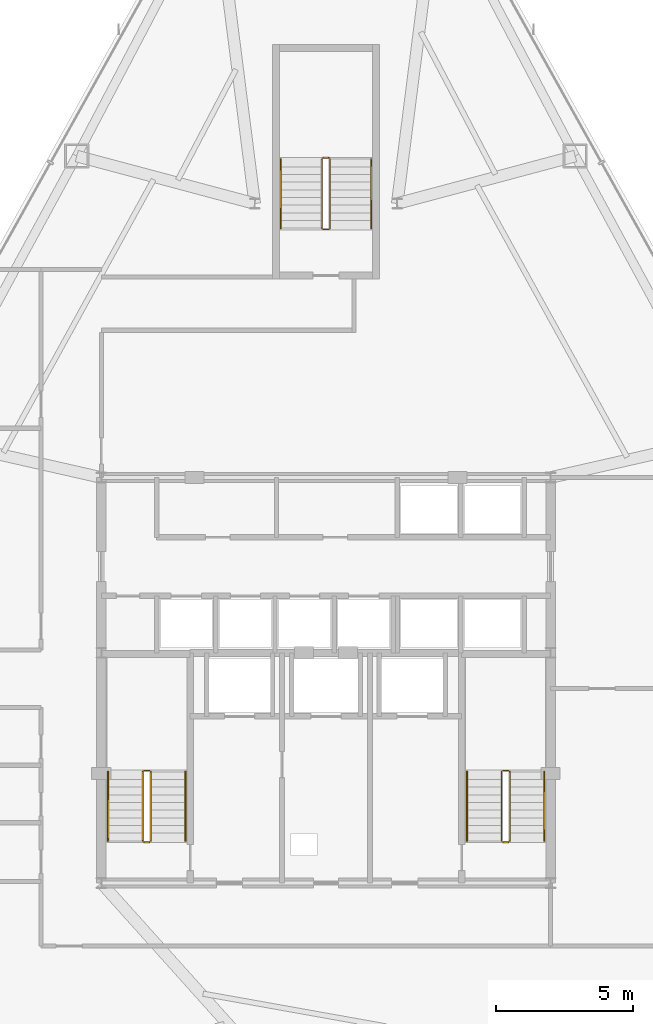
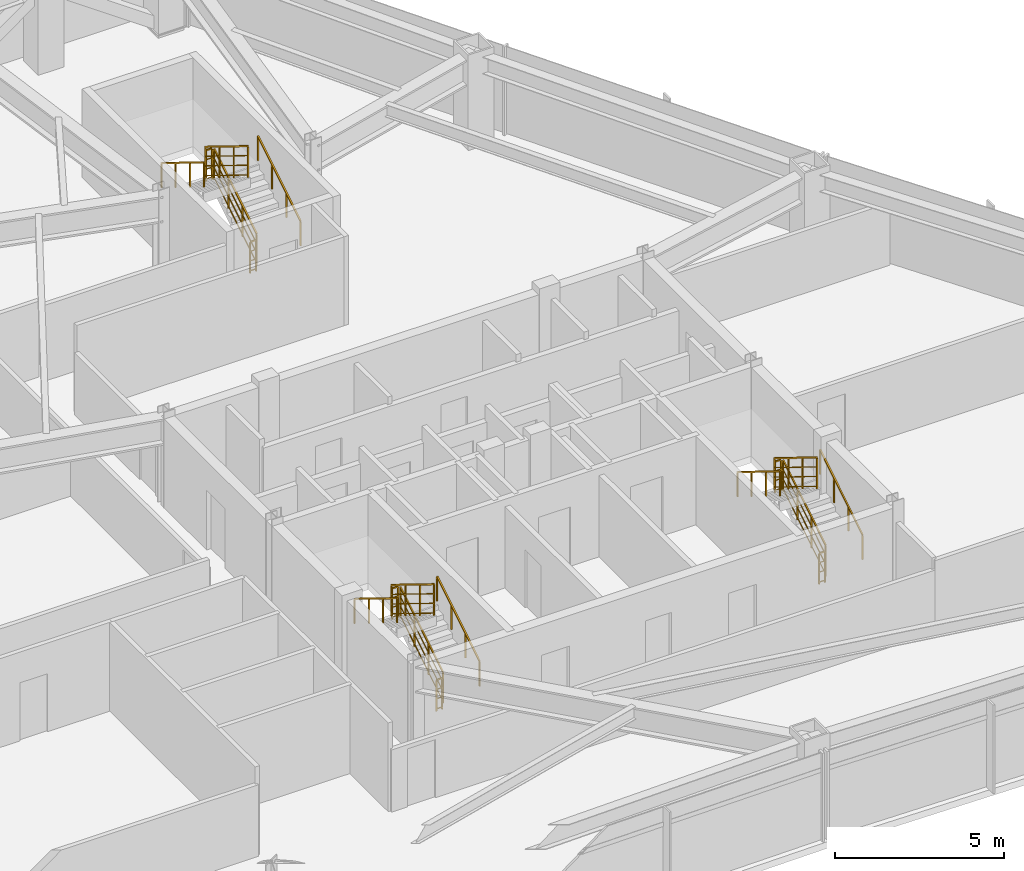
# One storey, part 11 of 11: 18 railings.
"""IFC4 building model written with IfcOpenShell, lengths in metres."""

from ifc_helpers import new_model, si_unit, direction, frame, origin, origin_2d, place, context, subcontext, project, spatial, rectangle, extrude, material, type_object, element, save


model = new_model("IFC4")

# Units and contexts
model_context = context("Model", 3, precision=1e-05, world=origin(), true_north=direction((0.0, 1.0)))
body_context = subcontext(model_context, "Body", "Model", "MODEL_VIEW")
ifc_project = project(units=[si_unit("LENGTHUNIT", "METRE"), si_unit("AREAUNIT", "SQUARE_METRE"), si_unit("VOLUMEUNIT", "CUBIC_METRE"), si_unit("PLANEANGLEUNIT", "RADIAN"), si_unit("MASSUNIT", "GRAM", prefix="KILO")], contexts=[model_context])

# Site, building, storey
site_placement = place(None, origin())
site = spatial("IfcSite", under=ifc_project, at=site_placement, CompositionType="ELEMENT")
building_placement = place(site_placement, origin())
building = spatial("IfcBuilding", under=site, at=building_placement, Name="Varakhsha Concourse Tower", CompositionType="ELEMENT")
storey_placement = place(building_placement, frame((0.0, 0.0, 140.14990234375)))
storey = spatial("IfcBuildingStorey", under=building, at=storey_placement, Name="L40", CompositionType="ELEMENT", Elevation=140.14990234375)

# Railings
ifc_material = material(Name="Brushed Austenitic Stainless Steel AISI 316", Category="steel")
railing_type_1 = type_object("IfcRailingType", Name="RL-STAIR-GUARD-1100", PredefinedType="GUARDRAIL", material=ifc_material)
railing_1_placement = place(storey_placement, frame((33.610107421875, 17.93994140625, 0.172607421875)))
element("IfcRailing", 1, at=railing_1_placement, inside=storey, type_object=railing_type_1, Name="L40 ST1 stair guard 1", PredefinedType="GUARDRAIL", context=body_context, shape_type="SweptSolid", body=[
    extrude(rectangle(XDim=0.048095703125, YDim=0.048095703125, at=origin_2d()), frame((0.0, 0.0, 1.1259765625), z_axis=(0.0, 0.851400495292, 0.524516154772), x_axis=(-1.0, 0.0, 0.0)), (0.0, 0.0, 1.0), 2.9599609375),
    extrude(rectangle(XDim=0.028076171875, YDim=0.028076171875, at=origin_2d()), frame((0.0, 0.0, 0.080078125), z_axis=(0.0, 0.851400495292, 0.524516154772), x_axis=(-1.0, 0.0, 0.0)), (0.0, 0.0, 1.0), 2.9599609375),
    extrude(rectangle(XDim=0.028076171875, YDim=0.028076171875, at=origin_2d()), frame((0.0, 0.0, 0.43701171875), z_axis=(0.0, 0.851400495292, 0.524516154772), x_axis=(-1.0, 0.0, 0.0)), (0.0, 0.0, 1.0), 2.9599609375),
    extrude(rectangle(XDim=0.028076171875, YDim=0.028076171875, at=origin_2d()), frame((0.0, 0.0, 0.781982421875), z_axis=(0.0, 0.851400495292, 0.524516154772), x_axis=(-1.0, 0.0, 0.0)), (0.0, 0.0, 1.0), 2.9599609375),
    extrude(rectangle(XDim=0.0419921875, YDim=0.0419921875, at=origin_2d()), origin(), (0.0, 0.0, 1.0), 1.101806640625),
    extrude(rectangle(XDim=0.0419921875, YDim=0.0419921875, at=origin_2d()), frame((0.0, 0.840087890625, 0.517578125)), (0.0, 0.0, 1.0), 1.101806640625),
    extrude(rectangle(XDim=0.0419921875, YDim=0.0419921875, at=origin_2d()), frame((0.0, 1.679931640625, 1.034912109375)), (0.0, 0.0, 1.0), 1.101806640625),
    extrude(rectangle(XDim=0.0419921875, YDim=0.0419921875, at=origin_2d()), frame((0.0, 2.52001953125, 1.552490234375)), (0.0, 0.0, 1.0), 1.101806640625),
])
railing_2_placement = place(storey_placement, frame((33.56005859375, 20.510009765625, 1.72509765625)))
element("IfcRailing", 2, at=railing_2_placement, inside=storey, type_object=railing_type_1, Name="L40 ST1 stair guard 2", PredefinedType="GUARDRAIL", context=body_context, shape_type="SweptSolid", body=[
    extrude(rectangle(XDim=0.048095703125, YDim=0.048095703125, at=origin_2d()), frame((0.0, 0.0, 1.1259765625), z_axis=(-1.0, 0.0, 0.0), x_axis=(0.0, -1.0, 0.0)), (0.0, 0.0, 1.0), 0.199951171875),
    extrude(rectangle(XDim=0.028076171875, YDim=0.028076171875, at=origin_2d()), frame((0.0, 0.0, 0.080078125), z_axis=(-1.0, 0.0, 0.0), x_axis=(0.0, -1.0, 0.0)), (0.0, 0.0, 1.0), 0.199951171875),
    extrude(rectangle(XDim=0.028076171875, YDim=0.028076171875, at=origin_2d()), frame((0.0, 0.0, 0.43701171875), z_axis=(-1.0, 0.0, 0.0), x_axis=(0.0, -1.0, 0.0)), (0.0, 0.0, 1.0), 0.199951171875),
    extrude(rectangle(XDim=0.028076171875, YDim=0.028076171875, at=origin_2d()), frame((0.0, 0.0, 0.781982421875), z_axis=(-1.0, 0.0, 0.0), x_axis=(0.0, -1.0, 0.0)), (0.0, 0.0, 1.0), 0.199951171875),
    extrude(rectangle(XDim=0.0419921875, YDim=0.0419921875, at=origin_2d()), origin(), (0.0, 0.0, 1.0), 1.101806640625),
    extrude(rectangle(XDim=0.0419921875, YDim=0.0419921875, at=origin_2d()), frame((-0.199951171875, 0.0, 0.0)), (0.0, 0.0, 1.0), 1.101806640625),
])
railing_3_placement = place(storey_placement, frame((33.31005859375, 20.4599609375, 1.897705078125)))
element("IfcRailing", 3, at=railing_3_placement, inside=storey, type_object=railing_type_1, Name="L40 ST1 stair guard 3", PredefinedType="GUARDRAIL", context=body_context, shape_type="SweptSolid", body=[
    extrude(rectangle(XDim=0.048095703125, YDim=0.048095703125, at=origin_2d()), frame((0.0, 0.0, 1.1259765625), z_axis=(0.0, -0.851400495292, 0.524516154772), x_axis=(1.0, 0.0, 0.0)), (0.0, 0.0, 1.0), 2.9599609375),
    extrude(rectangle(XDim=0.028076171875, YDim=0.028076171875, at=origin_2d()), frame((0.0, 0.0, 0.080078125), z_axis=(0.0, -0.851400495292, 0.524516154772), x_axis=(1.0, 0.0, 0.0)), (0.0, 0.0, 1.0), 2.9599609375),
    extrude(rectangle(XDim=0.028076171875, YDim=0.028076171875, at=origin_2d()), frame((0.0, 0.0, 0.43701171875), z_axis=(0.0, -0.851400495292, 0.524516154772), x_axis=(1.0, 0.0, 0.0)), (0.0, 0.0, 1.0), 2.9599609375),
    extrude(rectangle(XDim=0.028076171875, YDim=0.028076171875, at=origin_2d()), frame((0.0, 0.0, 0.781982421875), z_axis=(0.0, -0.851400495292, 0.524516154772), x_axis=(1.0, 0.0, 0.0)), (0.0, 0.0, 1.0), 2.9599609375),
    extrude(rectangle(XDim=0.0419921875, YDim=0.0419921875, at=origin_2d()), origin(), (0.0, 0.0, 1.0), 1.101806640625),
    extrude(rectangle(XDim=0.0419921875, YDim=0.0419921875, at=origin_2d()), frame((0.0, -0.840087890625, 0.517578125)), (0.0, 0.0, 1.0), 1.101806640625),
    extrude(rectangle(XDim=0.0419921875, YDim=0.0419921875, at=origin_2d()), frame((0.0, -1.679931640625, 1.034912109375)), (0.0, 0.0, 1.0), 1.101806640625),
    extrude(rectangle(XDim=0.0419921875, YDim=0.0419921875, at=origin_2d()), frame((0.0, -2.52001953125, 1.552490234375)), (0.0, 0.0, 1.0), 1.101806640625),
])
railing_4_placement = place(storey_placement, frame((33.56005859375, 17.889892578125, 0.0)))
element("IfcRailing", 4, at=railing_4_placement, inside=storey, type_object=railing_type_1, Name="L40 ST1 stair guard 4", PredefinedType="GUARDRAIL", context=body_context, shape_type="SweptSolid", body=[
    extrude(rectangle(XDim=0.048095703125, YDim=0.048095703125, at=origin_2d()), frame((0.0, 0.0, 1.1259765625), z_axis=(-1.0, 0.0, 0.0), x_axis=(0.0, -1.0, 0.0)), (0.0, 0.0, 1.0), 0.199951171875),
    extrude(rectangle(XDim=0.028076171875, YDim=0.028076171875, at=origin_2d()), frame((0.0, 0.0, 0.080078125), z_axis=(-1.0, 0.0, 0.0), x_axis=(0.0, -1.0, 0.0)), (0.0, 0.0, 1.0), 0.199951171875),
    extrude(rectangle(XDim=0.028076171875, YDim=0.028076171875, at=origin_2d()), frame((0.0, 0.0, 0.43701171875), z_axis=(-1.0, 0.0, 0.0), x_axis=(0.0, -1.0, 0.0)), (0.0, 0.0, 1.0), 0.199951171875),
    extrude(rectangle(XDim=0.028076171875, YDim=0.028076171875, at=origin_2d()), frame((0.0, 0.0, 0.781982421875), z_axis=(-1.0, 0.0, 0.0), x_axis=(0.0, -1.0, 0.0)), (0.0, 0.0, 1.0), 0.199951171875),
    extrude(rectangle(XDim=0.0419921875, YDim=0.0419921875, at=origin_2d()), origin(), (0.0, 0.0, 1.0), 1.101806640625),
    extrude(rectangle(XDim=0.0419921875, YDim=0.0419921875, at=origin_2d()), frame((-0.199951171875, 0.0, 0.0)), (0.0, 0.0, 1.0), 1.101806640625),
])
railing_5_placement = place(storey_placement, frame((46.7099609375, 17.93994140625, 0.172607421875)))
element("IfcRailing", 5, at=railing_5_placement, inside=storey, type_object=railing_type_1, Name="L40 ST2 stair guard 1", PredefinedType="GUARDRAIL", context=body_context, shape_type="SweptSolid", body=[
    extrude(rectangle(XDim=0.048095703125, YDim=0.048095703125, at=origin_2d()), frame((0.0, 0.0, 1.1259765625), z_axis=(0.0, 0.851400495292, 0.524516154772), x_axis=(-1.0, 0.0, 0.0)), (0.0, 0.0, 1.0), 2.9599609375),
    extrude(rectangle(XDim=0.028076171875, YDim=0.028076171875, at=origin_2d()), frame((0.0, 0.0, 0.080078125), z_axis=(0.0, 0.851400495292, 0.524516154772), x_axis=(-1.0, 0.0, 0.0)), (0.0, 0.0, 1.0), 2.9599609375),
    extrude(rectangle(XDim=0.028076171875, YDim=0.028076171875, at=origin_2d()), frame((0.0, 0.0, 0.43701171875), z_axis=(0.0, 0.851400495292, 0.524516154772), x_axis=(-1.0, 0.0, 0.0)), (0.0, 0.0, 1.0), 2.9599609375),
    extrude(rectangle(XDim=0.028076171875, YDim=0.028076171875, at=origin_2d()), frame((0.0, 0.0, 0.781982421875), z_axis=(0.0, 0.851400495292, 0.524516154772), x_axis=(-1.0, 0.0, 0.0)), (0.0, 0.0, 1.0), 2.9599609375),
    extrude(rectangle(XDim=0.0419921875, YDim=0.0419921875, at=origin_2d()), origin(), (0.0, 0.0, 1.0), 1.101806640625),
    extrude(rectangle(XDim=0.0419921875, YDim=0.0419921875, at=origin_2d()), frame((0.0, 0.840087890625, 0.517578125)), (0.0, 0.0, 1.0), 1.101806640625),
    extrude(rectangle(XDim=0.0419921875, YDim=0.0419921875, at=origin_2d()), frame((0.0, 1.679931640625, 1.034912109375)), (0.0, 0.0, 1.0), 1.101806640625),
    extrude(rectangle(XDim=0.0419921875, YDim=0.0419921875, at=origin_2d()), frame((0.0, 2.52001953125, 1.552490234375)), (0.0, 0.0, 1.0), 1.101806640625),
])
railing_6_placement = place(storey_placement, frame((46.659912109375, 20.510009765625, 1.72509765625)))
element("IfcRailing", 6, at=railing_6_placement, inside=storey, type_object=railing_type_1, Name="L40 ST2 stair guard 2", PredefinedType="GUARDRAIL", context=body_context, shape_type="SweptSolid", body=[
    extrude(rectangle(XDim=0.048095703125, YDim=0.048095703125, at=origin_2d()), frame((0.0, 0.0, 1.1259765625), z_axis=(-1.0, 0.0, 0.0), x_axis=(0.0, -1.0, 0.0)), (0.0, 0.0, 1.0), 0.199951171875),
    extrude(rectangle(XDim=0.028076171875, YDim=0.028076171875, at=origin_2d()), frame((0.0, 0.0, 0.080078125), z_axis=(-1.0, 0.0, 0.0), x_axis=(0.0, -1.0, 0.0)), (0.0, 0.0, 1.0), 0.199951171875),
    extrude(rectangle(XDim=0.028076171875, YDim=0.028076171875, at=origin_2d()), frame((0.0, 0.0, 0.43701171875), z_axis=(-1.0, 0.0, 0.0), x_axis=(0.0, -1.0, 0.0)), (0.0, 0.0, 1.0), 0.199951171875),
    extrude(rectangle(XDim=0.028076171875, YDim=0.028076171875, at=origin_2d()), frame((0.0, 0.0, 0.781982421875), z_axis=(-1.0, 0.0, 0.0), x_axis=(0.0, -1.0, 0.0)), (0.0, 0.0, 1.0), 0.199951171875),
    extrude(rectangle(XDim=0.0419921875, YDim=0.0419921875, at=origin_2d()), origin(), (0.0, 0.0, 1.0), 1.101806640625),
    extrude(rectangle(XDim=0.0419921875, YDim=0.0419921875, at=origin_2d()), frame((-0.199951171875, 0.0, 0.0)), (0.0, 0.0, 1.0), 1.101806640625),
])
railing_7_placement = place(storey_placement, frame((46.409912109375, 20.4599609375, 1.897705078125)))
element("IfcRailing", 7, at=railing_7_placement, inside=storey, type_object=railing_type_1, Name="L40 ST2 stair guard 3", PredefinedType="GUARDRAIL", context=body_context, shape_type="SweptSolid", body=[
    extrude(rectangle(XDim=0.048095703125, YDim=0.048095703125, at=origin_2d()), frame((0.0, 0.0, 1.1259765625), z_axis=(0.0, -0.851400495292, 0.524516154772), x_axis=(1.0, 0.0, 0.0)), (0.0, 0.0, 1.0), 2.9599609375),
    extrude(rectangle(XDim=0.028076171875, YDim=0.028076171875, at=origin_2d()), frame((0.0, 0.0, 0.080078125), z_axis=(0.0, -0.851400495292, 0.524516154772), x_axis=(1.0, 0.0, 0.0)), (0.0, 0.0, 1.0), 2.9599609375),
    extrude(rectangle(XDim=0.028076171875, YDim=0.028076171875, at=origin_2d()), frame((0.0, 0.0, 0.43701171875), z_axis=(0.0, -0.851400495292, 0.524516154772), x_axis=(1.0, 0.0, 0.0)), (0.0, 0.0, 1.0), 2.9599609375),
    extrude(rectangle(XDim=0.028076171875, YDim=0.028076171875, at=origin_2d()), frame((0.0, 0.0, 0.781982421875), z_axis=(0.0, -0.851400495292, 0.524516154772), x_axis=(1.0, 0.0, 0.0)), (0.0, 0.0, 1.0), 2.9599609375),
    extrude(rectangle(XDim=0.0419921875, YDim=0.0419921875, at=origin_2d()), origin(), (0.0, 0.0, 1.0), 1.101806640625),
    extrude(rectangle(XDim=0.0419921875, YDim=0.0419921875, at=origin_2d()), frame((0.0, -0.840087890625, 0.517578125)), (0.0, 0.0, 1.0), 1.101806640625),
    extrude(rectangle(XDim=0.0419921875, YDim=0.0419921875, at=origin_2d()), frame((0.0, -1.679931640625, 1.034912109375)), (0.0, 0.0, 1.0), 1.101806640625),
    extrude(rectangle(XDim=0.0419921875, YDim=0.0419921875, at=origin_2d()), frame((0.0, -2.52001953125, 1.552490234375)), (0.0, 0.0, 1.0), 1.101806640625),
])
railing_8_placement = place(storey_placement, frame((46.659912109375, 17.889892578125, 0.0)))
element("IfcRailing", 8, at=railing_8_placement, inside=storey, type_object=railing_type_1, Name="L40 ST2 stair guard 4", PredefinedType="GUARDRAIL", context=body_context, shape_type="SweptSolid", body=[
    extrude(rectangle(XDim=0.048095703125, YDim=0.048095703125, at=origin_2d()), frame((0.0, 0.0, 1.1259765625), z_axis=(-1.0, 0.0, 0.0), x_axis=(0.0, -1.0, 0.0)), (0.0, 0.0, 1.0), 0.199951171875),
    extrude(rectangle(XDim=0.028076171875, YDim=0.028076171875, at=origin_2d()), frame((0.0, 0.0, 0.080078125), z_axis=(-1.0, 0.0, 0.0), x_axis=(0.0, -1.0, 0.0)), (0.0, 0.0, 1.0), 0.199951171875),
    extrude(rectangle(XDim=0.028076171875, YDim=0.028076171875, at=origin_2d()), frame((0.0, 0.0, 0.43701171875), z_axis=(-1.0, 0.0, 0.0), x_axis=(0.0, -1.0, 0.0)), (0.0, 0.0, 1.0), 0.199951171875),
    extrude(rectangle(XDim=0.028076171875, YDim=0.028076171875, at=origin_2d()), frame((0.0, 0.0, 0.781982421875), z_axis=(-1.0, 0.0, 0.0), x_axis=(0.0, -1.0, 0.0)), (0.0, 0.0, 1.0), 0.199951171875),
    extrude(rectangle(XDim=0.0419921875, YDim=0.0419921875, at=origin_2d()), origin(), (0.0, 0.0, 1.0), 1.101806640625),
    extrude(rectangle(XDim=0.0419921875, YDim=0.0419921875, at=origin_2d()), frame((-0.199951171875, 0.0, 0.0)), (0.0, 0.0, 1.0), 1.101806640625),
])
railing_9_placement = place(storey_placement, frame((40.14990234375, 40.300048828125, 0.172607421875)))
element("IfcRailing", 9, at=railing_9_placement, inside=storey, type_object=railing_type_1, Name="L40 ST5 stair guard 1", PredefinedType="GUARDRAIL", context=body_context, shape_type="SweptSolid", body=[
    extrude(rectangle(XDim=0.048095703125, YDim=0.048095703125, at=origin_2d()), frame((0.0, 0.0, 1.1259765625), z_axis=(0.0, 0.851400495292, 0.524516154772), x_axis=(-1.0, 0.0, 0.0)), (0.0, 0.0, 1.0), 2.9599609375),
    extrude(rectangle(XDim=0.028076171875, YDim=0.028076171875, at=origin_2d()), frame((0.0, 0.0, 0.080078125), z_axis=(0.0, 0.851400495292, 0.524516154772), x_axis=(-1.0, 0.0, 0.0)), (0.0, 0.0, 1.0), 2.9599609375),
    extrude(rectangle(XDim=0.028076171875, YDim=0.028076171875, at=origin_2d()), frame((0.0, 0.0, 0.43701171875), z_axis=(0.0, 0.851400495292, 0.524516154772), x_axis=(-1.0, 0.0, 0.0)), (0.0, 0.0, 1.0), 2.9599609375),
    extrude(rectangle(XDim=0.028076171875, YDim=0.028076171875, at=origin_2d()), frame((0.0, 0.0, 0.781982421875), z_axis=(0.0, 0.851400495292, 0.524516154772), x_axis=(-1.0, 0.0, 0.0)), (0.0, 0.0, 1.0), 2.9599609375),
    extrude(rectangle(XDim=0.0419921875, YDim=0.0419921875, at=origin_2d()), origin(), (0.0, 0.0, 1.0), 1.101806640625),
    extrude(rectangle(XDim=0.0419921875, YDim=0.0419921875, at=origin_2d()), frame((0.0, 0.840087890625, 0.517578125)), (0.0, 0.0, 1.0), 1.101806640625),
    extrude(rectangle(XDim=0.0419921875, YDim=0.0419921875, at=origin_2d()), frame((0.0, 1.679931640625, 1.034912109375)), (0.0, 0.0, 1.0), 1.101806640625),
    extrude(rectangle(XDim=0.0419921875, YDim=0.0419921875, at=origin_2d()), frame((0.0, 2.52001953125, 1.552490234375)), (0.0, 0.0, 1.0), 1.101806640625),
])
railing_10_placement = place(storey_placement, frame((40.10009765625, 42.8701171875, 1.72509765625)))
element("IfcRailing", 10, at=railing_10_placement, inside=storey, type_object=railing_type_1, Name="L40 ST5 stair guard 2", PredefinedType="GUARDRAIL", context=body_context, shape_type="SweptSolid", body=[
    extrude(rectangle(XDim=0.048095703125, YDim=0.048095703125, at=origin_2d()), frame((0.0, 0.0, 1.1259765625), z_axis=(-1.0, 0.0, 0.0), x_axis=(0.0, -1.0, 0.0)), (0.0, 0.0, 1.0), 0.2001953125),
    extrude(rectangle(XDim=0.028076171875, YDim=0.028076171875, at=origin_2d()), frame((0.0, 0.0, 0.080078125), z_axis=(-1.0, 0.0, 0.0), x_axis=(0.0, -1.0, 0.0)), (0.0, 0.0, 1.0), 0.2001953125),
    extrude(rectangle(XDim=0.028076171875, YDim=0.028076171875, at=origin_2d()), frame((0.0, 0.0, 0.43701171875), z_axis=(-1.0, 0.0, 0.0), x_axis=(0.0, -1.0, 0.0)), (0.0, 0.0, 1.0), 0.2001953125),
    extrude(rectangle(XDim=0.028076171875, YDim=0.028076171875, at=origin_2d()), frame((0.0, 0.0, 0.781982421875), z_axis=(-1.0, 0.0, 0.0), x_axis=(0.0, -1.0, 0.0)), (0.0, 0.0, 1.0), 0.2001953125),
    extrude(rectangle(XDim=0.0419921875, YDim=0.0419921875, at=origin_2d()), origin(), (0.0, 0.0, 1.0), 1.101806640625),
    extrude(rectangle(XDim=0.0419921875, YDim=0.0419921875, at=origin_2d()), frame((-0.2001953125, 0.0, 0.0)), (0.0, 0.0, 1.0), 1.101806640625),
])
railing_11_placement = place(storey_placement, frame((39.85009765625, 42.820068359375, 1.897705078125)))
element("IfcRailing", 11, at=railing_11_placement, inside=storey, type_object=railing_type_1, Name="L40 ST5 stair guard 3", PredefinedType="GUARDRAIL", context=body_context, shape_type="SweptSolid", body=[
    extrude(rectangle(XDim=0.048095703125, YDim=0.048095703125, at=origin_2d()), frame((0.0, 0.0, 1.1259765625), z_axis=(0.0, -0.851400495292, 0.524516154772), x_axis=(1.0, 0.0, 0.0)), (0.0, 0.0, 1.0), 2.9599609375),
    extrude(rectangle(XDim=0.028076171875, YDim=0.028076171875, at=origin_2d()), frame((0.0, 0.0, 0.080078125), z_axis=(0.0, -0.851400495292, 0.524516154772), x_axis=(1.0, 0.0, 0.0)), (0.0, 0.0, 1.0), 2.9599609375),
    extrude(rectangle(XDim=0.028076171875, YDim=0.028076171875, at=origin_2d()), frame((0.0, 0.0, 0.43701171875), z_axis=(0.0, -0.851400495292, 0.524516154772), x_axis=(1.0, 0.0, 0.0)), (0.0, 0.0, 1.0), 2.9599609375),
    extrude(rectangle(XDim=0.028076171875, YDim=0.028076171875, at=origin_2d()), frame((0.0, 0.0, 0.781982421875), z_axis=(0.0, -0.851400495292, 0.524516154772), x_axis=(1.0, 0.0, 0.0)), (0.0, 0.0, 1.0), 2.9599609375),
    extrude(rectangle(XDim=0.0419921875, YDim=0.0419921875, at=origin_2d()), origin(), (0.0, 0.0, 1.0), 1.101806640625),
    extrude(rectangle(XDim=0.0419921875, YDim=0.0419921875, at=origin_2d()), frame((0.0, -0.840087890625, 0.517578125)), (0.0, 0.0, 1.0), 1.101806640625),
    extrude(rectangle(XDim=0.0419921875, YDim=0.0419921875, at=origin_2d()), frame((0.0, -1.679931640625, 1.034912109375)), (0.0, 0.0, 1.0), 1.101806640625),
    extrude(rectangle(XDim=0.0419921875, YDim=0.0419921875, at=origin_2d()), frame((0.0, -2.52001953125, 1.552490234375)), (0.0, 0.0, 1.0), 1.101806640625),
])
railing_12_placement = place(storey_placement, frame((40.10009765625, 40.25, 0.0)))
element("IfcRailing", 12, at=railing_12_placement, inside=storey, type_object=railing_type_1, Name="L40 ST5 stair guard 4", PredefinedType="GUARDRAIL", context=body_context, shape_type="SweptSolid", body=[
    extrude(rectangle(XDim=0.048095703125, YDim=0.048095703125, at=origin_2d()), frame((0.0, 0.0, 1.1259765625), z_axis=(-1.0, 0.0, 0.0), x_axis=(0.0, -1.0, 0.0)), (0.0, 0.0, 1.0), 0.2001953125),
    extrude(rectangle(XDim=0.028076171875, YDim=0.028076171875, at=origin_2d()), frame((0.0, 0.0, 0.080078125), z_axis=(-1.0, 0.0, 0.0), x_axis=(0.0, -1.0, 0.0)), (0.0, 0.0, 1.0), 0.2001953125),
    extrude(rectangle(XDim=0.028076171875, YDim=0.028076171875, at=origin_2d()), frame((0.0, 0.0, 0.43701171875), z_axis=(-1.0, 0.0, 0.0), x_axis=(0.0, -1.0, 0.0)), (0.0, 0.0, 1.0), 0.2001953125),
    extrude(rectangle(XDim=0.028076171875, YDim=0.028076171875, at=origin_2d()), frame((0.0, 0.0, 0.781982421875), z_axis=(-1.0, 0.0, 0.0), x_axis=(0.0, -1.0, 0.0)), (0.0, 0.0, 1.0), 0.2001953125),
    extrude(rectangle(XDim=0.0419921875, YDim=0.0419921875, at=origin_2d()), origin(), (0.0, 0.0, 1.0), 1.101806640625),
    extrude(rectangle(XDim=0.0419921875, YDim=0.0419921875, at=origin_2d()), frame((-0.2001953125, 0.0, 0.0)), (0.0, 0.0, 1.0), 1.101806640625),
])
railing_type_2 = type_object("IfcRailingType", Name="RL-STAIR-RAIL-915", PredefinedType="HANDRAIL", material=ifc_material)
railing_13_placement = place(storey_placement, frame((34.8701171875, 17.93994140625, 0.34521484375)))
element("IfcRailing", 13, at=railing_13_placement, inside=storey, type_object=railing_type_2, Name="L40 ST1 stair handrail 1", PredefinedType="HANDRAIL", context=body_context, shape_type="SweptSolid", body=[
    extrude(rectangle(XDim=0.048095703125, YDim=0.048095703125, at=origin_2d()), frame((0.0, 0.0, 0.89111328125), z_axis=(0.0, 0.851400495292, 0.524516154772), x_axis=(-1.0, 0.0, 0.0)), (0.0, 0.0, 1.0), 2.9599609375),
    extrude(rectangle(XDim=0.0419921875, YDim=0.0419921875, at=origin_2d()), origin(), (0.0, 0.0, 1.0), 0.866943359375),
    extrude(rectangle(XDim=0.0419921875, YDim=0.0419921875, at=origin_2d()), frame((0.0, 0.840087890625, 0.517578125)), (0.0, 0.0, 1.0), 0.866943359375),
    extrude(rectangle(XDim=0.0419921875, YDim=0.0419921875, at=origin_2d()), frame((0.0, 1.679931640625, 1.034912109375)), (0.0, 0.0, 1.0), 0.866943359375),
    extrude(rectangle(XDim=0.0419921875, YDim=0.0419921875, at=origin_2d()), frame((0.0, 2.52001953125, 1.552490234375)), (0.0, 0.0, 1.0), 0.866943359375),
])
railing_14_placement = place(storey_placement, frame((32.050048828125, 20.4599609375, 2.070068359375)))
element("IfcRailing", 14, at=railing_14_placement, inside=storey, type_object=railing_type_2, Name="L40 ST1 stair handrail 2", PredefinedType="HANDRAIL", context=body_context, shape_type="SweptSolid", body=[
    extrude(rectangle(XDim=0.048095703125, YDim=0.048095703125, at=origin_2d()), frame((0.0, 0.0, 0.89111328125), z_axis=(0.0, -0.851400495292, 0.524516154772), x_axis=(1.0, 0.0, 0.0)), (0.0, 0.0, 1.0), 2.9599609375),
    extrude(rectangle(XDim=0.0419921875, YDim=0.0419921875, at=origin_2d()), origin(), (0.0, 0.0, 1.0), 0.866943359375),
    extrude(rectangle(XDim=0.0419921875, YDim=0.0419921875, at=origin_2d()), frame((0.0, -0.840087890625, 0.517578125)), (0.0, 0.0, 1.0), 0.866943359375),
    extrude(rectangle(XDim=0.0419921875, YDim=0.0419921875, at=origin_2d()), frame((0.0, -1.679931640625, 1.034912109375)), (0.0, 0.0, 1.0), 0.866943359375),
    extrude(rectangle(XDim=0.0419921875, YDim=0.0419921875, at=origin_2d()), frame((0.0, -2.52001953125, 1.552490234375)), (0.0, 0.0, 1.0), 0.866943359375),
])
railing_15_placement = place(storey_placement, frame((47.969970703125, 17.93994140625, 0.34521484375)))
element("IfcRailing", 15, at=railing_15_placement, inside=storey, type_object=railing_type_2, Name="L40 ST2 stair handrail 1", PredefinedType="HANDRAIL", context=body_context, shape_type="SweptSolid", body=[
    extrude(rectangle(XDim=0.048095703125, YDim=0.048095703125, at=origin_2d()), frame((0.0, 0.0, 0.89111328125), z_axis=(0.0, 0.851400495292, 0.524516154772), x_axis=(-1.0, 0.0, 0.0)), (0.0, 0.0, 1.0), 2.9599609375),
    extrude(rectangle(XDim=0.0419921875, YDim=0.0419921875, at=origin_2d()), origin(), (0.0, 0.0, 1.0), 0.866943359375),
    extrude(rectangle(XDim=0.0419921875, YDim=0.0419921875, at=origin_2d()), frame((0.0, 0.840087890625, 0.517578125)), (0.0, 0.0, 1.0), 0.866943359375),
    extrude(rectangle(XDim=0.0419921875, YDim=0.0419921875, at=origin_2d()), frame((0.0, 1.679931640625, 1.034912109375)), (0.0, 0.0, 1.0), 0.866943359375),
    extrude(rectangle(XDim=0.0419921875, YDim=0.0419921875, at=origin_2d()), frame((0.0, 2.52001953125, 1.552490234375)), (0.0, 0.0, 1.0), 0.866943359375),
])
railing_16_placement = place(storey_placement, frame((45.14990234375, 20.4599609375, 2.070068359375)))
element("IfcRailing", 16, at=railing_16_placement, inside=storey, type_object=railing_type_2, Name="L40 ST2 stair handrail 2", PredefinedType="HANDRAIL", context=body_context, shape_type="SweptSolid", body=[
    extrude(rectangle(XDim=0.048095703125, YDim=0.048095703125, at=origin_2d()), frame((0.0, 0.0, 0.89111328125), z_axis=(0.0, -0.851400495292, 0.524516154772), x_axis=(1.0, 0.0, 0.0)), (0.0, 0.0, 1.0), 2.9599609375),
    extrude(rectangle(XDim=0.0419921875, YDim=0.0419921875, at=origin_2d()), origin(), (0.0, 0.0, 1.0), 0.866943359375),
    extrude(rectangle(XDim=0.0419921875, YDim=0.0419921875, at=origin_2d()), frame((0.0, -0.840087890625, 0.517578125)), (0.0, 0.0, 1.0), 0.866943359375),
    extrude(rectangle(XDim=0.0419921875, YDim=0.0419921875, at=origin_2d()), frame((0.0, -1.679931640625, 1.034912109375)), (0.0, 0.0, 1.0), 0.866943359375),
    extrude(rectangle(XDim=0.0419921875, YDim=0.0419921875, at=origin_2d()), frame((0.0, -2.52001953125, 1.552490234375)), (0.0, 0.0, 1.0), 0.866943359375),
])
railing_17_placement = place(storey_placement, frame((41.64990234375, 40.300048828125, 0.34521484375)))
element("IfcRailing", 17, at=railing_17_placement, inside=storey, type_object=railing_type_2, Name="L40 ST5 stair handrail 1", PredefinedType="HANDRAIL", context=body_context, shape_type="SweptSolid", body=[
    extrude(rectangle(XDim=0.048095703125, YDim=0.048095703125, at=origin_2d()), frame((0.0, 0.0, 0.89111328125), z_axis=(0.0, 0.851400495292, 0.524516154772), x_axis=(-1.0, 0.0, 0.0)), (0.0, 0.0, 1.0), 2.9599609375),
    extrude(rectangle(XDim=0.0419921875, YDim=0.0419921875, at=origin_2d()), origin(), (0.0, 0.0, 1.0), 0.866943359375),
    extrude(rectangle(XDim=0.0419921875, YDim=0.0419921875, at=origin_2d()), frame((0.0, 0.840087890625, 0.517578125)), (0.0, 0.0, 1.0), 0.866943359375),
    extrude(rectangle(XDim=0.0419921875, YDim=0.0419921875, at=origin_2d()), frame((0.0, 1.679931640625, 1.034912109375)), (0.0, 0.0, 1.0), 0.866943359375),
    extrude(rectangle(XDim=0.0419921875, YDim=0.0419921875, at=origin_2d()), frame((0.0, 2.52001953125, 1.552490234375)), (0.0, 0.0, 1.0), 0.866943359375),
])
railing_18_placement = place(storey_placement, frame((38.35009765625, 42.820068359375, 2.070068359375)))
element("IfcRailing", 18, at=railing_18_placement, inside=storey, type_object=railing_type_2, Name="L40 ST5 stair handrail 2", PredefinedType="HANDRAIL", context=body_context, shape_type="SweptSolid", body=[
    extrude(rectangle(XDim=0.048095703125, YDim=0.048095703125, at=origin_2d()), frame((0.0, 0.0, 0.89111328125), z_axis=(0.0, -0.851400495292, 0.524516154772), x_axis=(1.0, 0.0, 0.0)), (0.0, 0.0, 1.0), 2.9599609375),
    extrude(rectangle(XDim=0.0419921875, YDim=0.0419921875, at=origin_2d()), origin(), (0.0, 0.0, 1.0), 0.866943359375),
    extrude(rectangle(XDim=0.0419921875, YDim=0.0419921875, at=origin_2d()), frame((0.0, -0.840087890625, 0.517578125)), (0.0, 0.0, 1.0), 0.866943359375),
    extrude(rectangle(XDim=0.0419921875, YDim=0.0419921875, at=origin_2d()), frame((0.0, -1.679931640625, 1.034912109375)), (0.0, 0.0, 1.0), 0.866943359375),
    extrude(rectangle(XDim=0.0419921875, YDim=0.0419921875, at=origin_2d()), frame((0.0, -2.52001953125, 1.552490234375)), (0.0, 0.0, 1.0), 0.866943359375),
])

save(model, "model.ifc")
